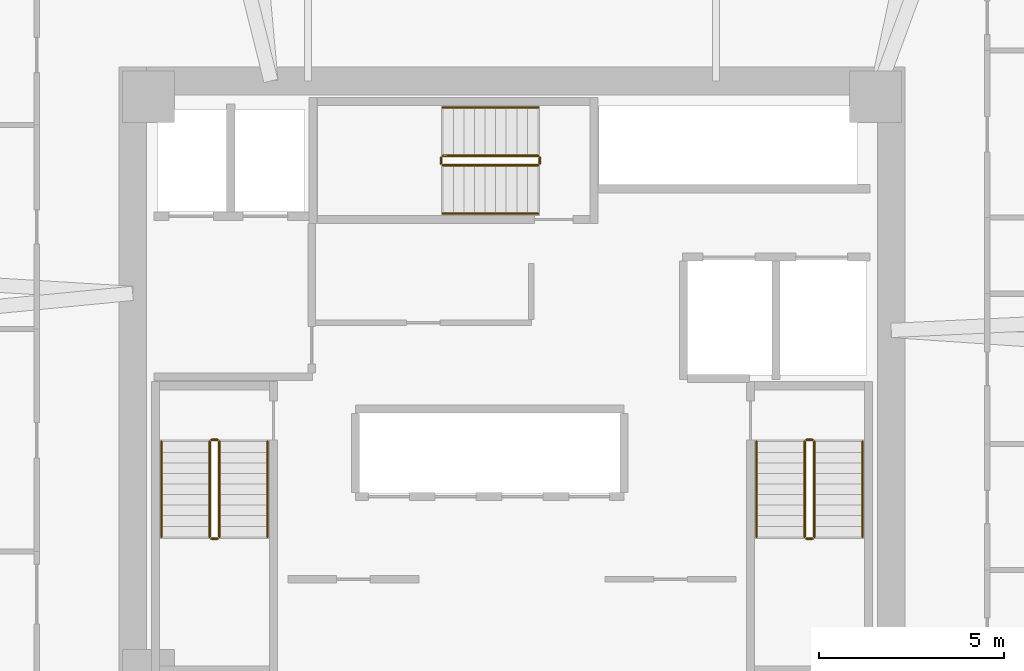
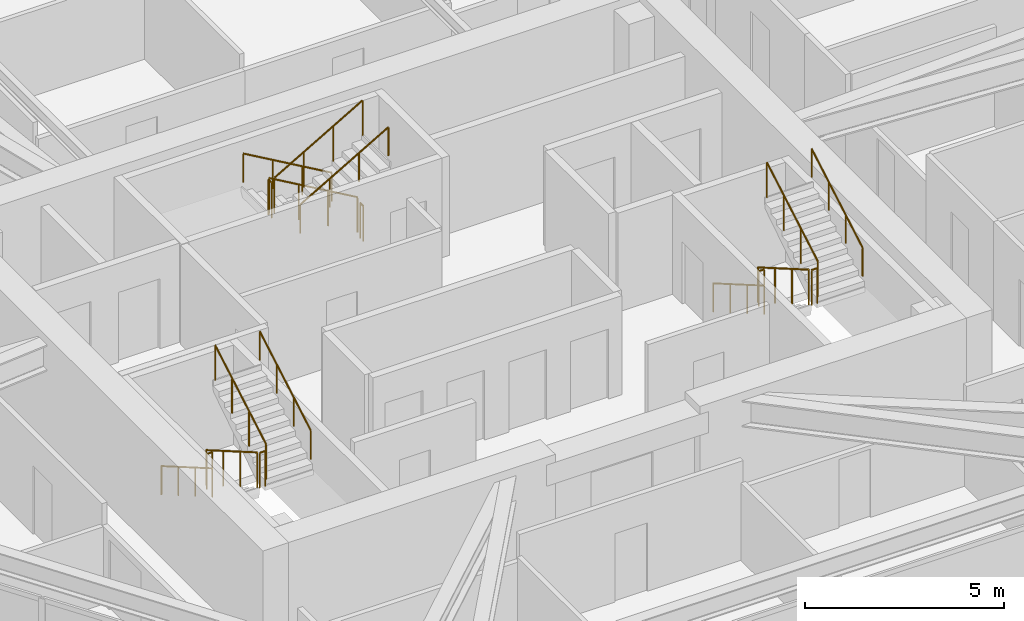
# One storey, part 14 of 14: 18 railings.
"""IFC4 building model written with IfcOpenShell, lengths in metres."""

import ifcopenshell
import ifcopenshell.guid

model = None  # the IFC model being written
_history = None  # IfcOwnerHistory: only IFC2X3 demands one
_inside = {}  # id of a spatial element -> (the spatial element, [elements in it])
_under = {}  # id of a project, library or spatial element -> (it, [spatial elements below it])
_declared = {}  # id of a project -> (the project, [libraries it declares])
_typed = {}  # id of a type object -> (the type object, [elements of that type])
_made_of = {}  # id of a material, layer set ... -> (it, [elements and type objects made of it])


def new_model(schema):
    """Start an empty IFC model of exactly this schema.

    Asked for "IFC4X3", IfcOpenShell would pick the latest addendum, in which some entities
    have other attributes; the version numbers below select the first issue.
    IFC2X3 requires an IfcOwnerHistory on every rooted entity: one is made here for all.
    """
    global model, _history
    if schema == "IFC4X3":
        model = ifcopenshell.file(schema_version=(4, 3, 0, 0))
    else:
        model = ifcopenshell.file(schema=schema)
    _inside.clear()
    _under.clear()
    _declared.clear()
    _typed.clear()
    _made_of.clear()
    _history = None
    if model.schema == "IFC2X3":
        org = make("IfcOrganization", Name="unknown")
        user = make(
            "IfcPersonAndOrganization",
            ThePerson=make("IfcPerson", FamilyName="unknown"),
            TheOrganization=org,
        )
        app = make(
            "IfcApplication",
            ApplicationDeveloper=org,
            Version="unknown",
            ApplicationFullName="unknown",
            ApplicationIdentifier="unknown",
        )
        _history = make(
            "IfcOwnerHistory",
            OwningUser=user,
            OwningApplication=app,
            ChangeAction="ADDED",
            CreationDate=0,
        )
    return model


def make(cls, **values):
    """One entity of the class cls with the attributes given. An attribute that is None is left unset."""
    return model.create_entity(
        cls, **{name: value for name, value in values.items() if value is not None}
    )


def rooted(cls, **values):
    """An entity with a GlobalId (a new one), such as an element, a storey or a relation."""
    return make(cls, GlobalId=ifcopenshell.guid.new(), OwnerHistory=_history, **values)


def si_unit(unit_type, name, prefix=None):
    """IfcSIUnit, for example si_unit("LENGTHUNIT", "METRE", prefix="MILLI")."""
    return make("IfcSIUnit", UnitType=unit_type, Prefix=prefix, Name=name)


def assignment(units):
    """IfcUnitAssignment: the units of a project."""
    return None if units is None else make("IfcUnitAssignment", Units=units)


def point(xyz):
    """IfcCartesianPoint."""
    return None if xyz is None else make("IfcCartesianPoint", Coordinates=xyz)


def direction(xyz):
    """IfcDirection."""
    return None if xyz is None else make("IfcDirection", DirectionRatios=xyz)


def frame(location, z_axis=None, x_axis=None):
    """IfcAxis2Placement3D, a coordinate frame: its origin and axes. An axis left out is left unset."""
    return make(
        "IfcAxis2Placement3D",
        Location=point(location),
        Axis=direction(z_axis),
        RefDirection=direction(x_axis),
    )


def frame_2d(location, x_axis=None):
    """IfcAxis2Placement2D, a coordinate frame in the plane: its origin and x axis."""
    return make(
        "IfcAxis2Placement2D", Location=point(location), RefDirection=direction(x_axis)
    )


def origin():
    """The frame at (0, 0, 0) with its axes left unset."""
    return frame((0.0, 0.0, 0.0))


def origin_2d():
    """The frame at (0, 0) in the plane with its x axis left unset."""
    return frame_2d((0.0, 0.0))


def place(relative_to, where):
    """IfcLocalPlacement: puts the frame where relative to a parent placement (None: the world)."""
    return make(
        "IfcLocalPlacement", PlacementRelTo=relative_to, RelativePlacement=where
    )


def context(
    kind, dimensions, precision=None, world=None, true_north=None, identifier=None
):
    """IfcGeometricRepresentationContext, for example the 3D "Model" context."""
    return make(
        "IfcGeometricRepresentationContext",
        ContextIdentifier=identifier,
        ContextType=kind,
        CoordinateSpaceDimension=dimensions,
        Precision=precision,
        WorldCoordinateSystem=world,
        TrueNorth=true_north,
    )


def subcontext(parent, identifier, kind, view, scale=None):
    """IfcGeometricRepresentationSubContext, for example "Body" below "Model"."""
    return make(
        "IfcGeometricRepresentationSubContext",
        ContextIdentifier=identifier,
        ContextType=kind,
        ParentContext=parent,
        TargetScale=scale,
        TargetView=view,
    )


def project(units=None, contexts=None):
    """IfcProject with its units and contexts."""
    return rooted(
        "IfcProject",
        Name="project",
        RepresentationContexts=contexts,
        UnitsInContext=assignment(units),
    )


def spatial(cls, under=None, at=None, **own):
    """A site, building, storey or space (cls), placed at a placement, below another one or the project."""
    s = rooted(cls, ObjectPlacement=at, **own)
    if under is not None:
        _under.setdefault(under.id(), (under, []))[1].append(s)
    return s


def profile(cls, at=None, kind="AREA", **sizes):
    """A parametric profile (cls). Its sizes go by their IFC names, for example OverallWidth=200.0."""
    return make(cls, ProfileType=kind, Position=at, **sizes)


def circle(**sizes):
    """IfcCircleProfileDef."""
    return profile("IfcCircleProfileDef", **sizes)


def extrude(swept, where, along, depth):
    """IfcExtrudedAreaSolid: the profile swept, set in the frame where, extruded along a direction by depth."""
    return make(
        "IfcExtrudedAreaSolid",
        SweptArea=swept,
        Position=where,
        ExtrudedDirection=direction(along),
        Depth=depth,
    )


def shape(context_of_items, identifier, shape_type, items):
    """IfcShapeRepresentation: the items that make up one representation, for example the "Body"."""
    return make(
        "IfcShapeRepresentation",
        ContextOfItems=context_of_items,
        RepresentationIdentifier=identifier,
        RepresentationType=shape_type,
        Items=items,
    )


def material(Name=None, Category=None):
    """IfcMaterial."""
    return make("IfcMaterial", Name=Name, Category=Category)


def made_of(thing, what):
    """Note that an element or type object is made of a material, layer set ...; save() writes the relation."""
    if what is not None:
        _made_of.setdefault(what.id(), (what, []))[1].append(thing)
    return thing


def type_object(cls, material=None, **own):
    """A type object (cls), such as IfcWallType, which elements share."""
    return made_of(rooted(cls, **own), material)


def element(
    cls,
    number,
    at=None,
    inside=None,
    cuts=None,
    type_object=None,
    material=None,
    context=None,
    identifier="Body",
    shape_type=None,
    held_by="IfcProductDefinitionShape",
    body=None,
    shapes=None,
    **own,
):
    """One element of the class cls, such as IfcWall. Its Tag is "e" and its number.

    at: its placement. inside: the storey or other place that contains it. cuts: it is an
    opening in that element (IfcRelVoidsElement). A single representation is given by context,
    identifier, shape_type and body (its items); several are given by shapes. held_by: the class
    of the entity that holds the representations. save() writes the other relations.
    """
    e = rooted(cls, Tag="e%d" % number, ObjectPlacement=at, **own)
    if body is not None:
        shapes = [shape(context, identifier, shape_type, body)]
    if shapes is not None:
        e.Representation = make(held_by, Representations=shapes)
    if inside is not None:
        _inside.setdefault(inside.id(), (inside, []))[1].append(e)
    if cuts is not None:
        rooted(
            "IfcRelVoidsElement", RelatingBuildingElement=cuts, RelatedOpeningElement=e
        )
    if type_object is not None:
        _typed.setdefault(type_object.id(), (type_object, []))[1].append(e)
    return made_of(e, material)


def aggregate(whole, parts):
    """IfcRelAggregates: a whole, such as a stair, and the parts it consists of."""
    return rooted("IfcRelAggregates", RelatingObject=whole, RelatedObjects=parts)


def save(model, path):
    """Write the relations noted so far, then the file.

    IfcRelAggregates (storeys below a building ...), IfcRelContainedInSpatialStructure (elements
    in a storey), IfcRelDefinesByType, IfcRelAssociatesMaterial and IfcRelDeclares: one each for
    every whole, place, type object, material and project.
    """
    for whole, parts in _under.values():
        aggregate(whole, parts)
    for where, things in _inside.values():
        rooted(
            "IfcRelContainedInSpatialStructure",
            RelatedElements=things,
            RelatingStructure=where,
        )
    for kind, things in _typed.values():
        rooted("IfcRelDefinesByType", RelatedObjects=things, RelatingType=kind)
    for what, things in _made_of.values():
        rooted("IfcRelAssociatesMaterial", RelatedObjects=things, RelatingMaterial=what)
    for by, libraries in _declared.values():
        rooted("IfcRelDeclares", RelatingContext=by, RelatedDefinitions=libraries)
    model.write(path)


model = new_model("IFC4")

# Units and contexts
model_context = context("Model", 3, precision=1e-05, world=origin(), true_north=direction((0.0, 1.0)))
body_context = subcontext(model_context, "Body", "Model", "MODEL_VIEW")
ifc_project = project(units=[si_unit("LENGTHUNIT", "METRE"), si_unit("AREAUNIT", "SQUARE_METRE"), si_unit("VOLUMEUNIT", "CUBIC_METRE"), si_unit("PLANEANGLEUNIT", "RADIAN"), si_unit("MASSUNIT", "GRAM", prefix="KILO")], contexts=[model_context])

# Site, building, storey
site_placement = place(None, origin())
site = spatial("IfcSite", under=ifc_project, at=site_placement, CompositionType="ELEMENT")
building_placement = place(site_placement, origin())
building = spatial("IfcBuilding", under=site, at=building_placement, Name="Durnholm Broadcast Tower", CompositionType="ELEMENT")
storey_placement = place(building_placement, frame((0.0, 0.0, 114.0)))
storey = spatial("IfcBuildingStorey", under=building, at=storey_placement, Name="L30", CompositionType="ELEMENT", Elevation=114.0)

# Railings
ifc_material_1 = material(Name="Painted Tubular Steel Stair Guardrail", Category="steel")
railing_type_1 = type_object("IfcRailingType", Name="RAIL-ST-GRD", PredefinedType="GUARDRAIL", material=ifc_material_1)
railing_1_placement = place(storey_placement, frame((-8.14990234375, -1.5, 0.1650390625)))
element("IfcRailing", 1, at=railing_1_placement, inside=storey, type_object=railing_type_1, Name="L30 ST-1 stair guard 1", PredefinedType="GUARDRAIL", context=body_context, shape_type="SweptSolid", body=[
    extrude(circle(Radius=0.02392578125, at=origin_2d()), frame((0.0, 0.0, 1.076171875), z_axis=(0.0, -0.865441324677, 0.50101029285), x_axis=(1.0, 0.0, 0.0)), (0.0, 0.0, 1.0), 2.963623046875),
    extrude(circle(Radius=0.02099609375, at=origin_2d()), origin(), (0.0, 0.0, 1.0), 1.052001953125),
    extrude(circle(Radius=0.02099609375, at=origin_2d()), frame((0.0, -0.85498046875, 0.494873046875)), (0.0, 0.0, 1.0), 1.052001953125),
    extrude(circle(Radius=0.02099609375, at=origin_2d()), frame((0.0, -1.7099609375, 0.989990234375)), (0.0, 0.0, 1.0), 1.052001953125),
    extrude(circle(Radius=0.02099609375, at=origin_2d()), frame((0.0, -2.56494140625, 1.48486328125)), (0.0, 0.0, 1.0), 1.052001953125),
])
railing_2_placement = place(storey_placement, frame((-8.10009765625, -4.114990234375, 1.64990234375)))
element("IfcRailing", 2, at=railing_2_placement, inside=storey, type_object=railing_type_1, Name="L30 ST-1 stair guard 2", PredefinedType="GUARDRAIL", context=body_context, shape_type="SweptSolid", body=[
    extrude(circle(Radius=0.02392578125, at=origin_2d()), frame((0.0, 0.0, 1.076171875), z_axis=(1.0, 0.0, 0.0), x_axis=(0.0, 1.0, 0.0)), (0.0, 0.0, 1.0), 0.16015625),
    extrude(circle(Radius=0.02099609375, at=origin_2d()), origin(), (0.0, 0.0, 1.0), 1.052001953125),
    extrude(circle(Radius=0.02099609375, at=origin_2d()), frame((0.16015625, 0.0, 0.0)), (0.0, 0.0, 1.0), 1.052001953125),
])
railing_3_placement = place(storey_placement, frame((-7.889892578125, -4.06494140625, 1.81494140625)))
element("IfcRailing", 3, at=railing_3_placement, inside=storey, type_object=railing_type_1, Name="L30 ST-1 stair guard 3", PredefinedType="GUARDRAIL", context=body_context, shape_type="SweptSolid", body=[
    extrude(circle(Radius=0.02392578125, at=origin_2d()), frame((0.0, 0.0, 1.076171875), z_axis=(0.0, 0.865405606168, 0.501071987656), x_axis=(-1.0, 0.0, 0.0)), (0.0, 0.0, 1.0), 2.9638671875),
    extrude(circle(Radius=0.02099609375, at=origin_2d()), origin(), (0.0, 0.0, 1.0), 1.052001953125),
    extrude(circle(Radius=0.02099609375, at=origin_2d()), frame((0.0, 0.85498046875, 0.4951171875)), (0.0, 0.0, 1.0), 1.052001953125),
    extrude(circle(Radius=0.02099609375, at=origin_2d()), frame((0.0, 1.7099609375, 0.989990234375)), (0.0, 0.0, 1.0), 1.052001953125),
    extrude(circle(Radius=0.02099609375, at=origin_2d()), frame((0.0, 2.56494140625, 1.485107421875)), (0.0, 0.0, 1.0), 1.052001953125),
])
railing_4_placement = place(storey_placement, frame((-8.10009765625, -1.449951171875, 0.0)))
element("IfcRailing", 4, at=railing_4_placement, inside=storey, type_object=railing_type_1, Name="L30 ST-1 stair guard 4", PredefinedType="GUARDRAIL", context=body_context, shape_type="SweptSolid", body=[
    extrude(circle(Radius=0.02392578125, at=origin_2d()), frame((0.0, 0.0, 1.076171875), z_axis=(1.0, 0.0, 0.0), x_axis=(0.0, 1.0, 0.0)), (0.0, 0.0, 1.0), 0.16015625),
    extrude(circle(Radius=0.02099609375, at=origin_2d()), origin(), (0.0, 0.0, 1.0), 1.052001953125),
    extrude(circle(Radius=0.02099609375, at=origin_2d()), frame((0.16015625, 0.0, 0.0)), (0.0, 0.0, 1.0), 1.052001953125),
])
railing_5_placement = place(storey_placement, frame((7.889892578125, -1.5, 0.1650390625)))
element("IfcRailing", 5, at=railing_5_placement, inside=storey, type_object=railing_type_1, Name="L30 ST-2 stair guard 1", PredefinedType="GUARDRAIL", context=body_context, shape_type="SweptSolid", body=[
    extrude(circle(Radius=0.02392578125, at=origin_2d()), frame((0.0, 0.0, 1.076171875), z_axis=(0.0, -0.865441324677, 0.50101029285), x_axis=(1.0, 0.0, 0.0)), (0.0, 0.0, 1.0), 2.963623046875),
    extrude(circle(Radius=0.02099609375, at=origin_2d()), origin(), (0.0, 0.0, 1.0), 1.052001953125),
    extrude(circle(Radius=0.02099609375, at=origin_2d()), frame((0.0, -0.85498046875, 0.494873046875)), (0.0, 0.0, 1.0), 1.052001953125),
    extrude(circle(Radius=0.02099609375, at=origin_2d()), frame((0.0, -1.7099609375, 0.989990234375)), (0.0, 0.0, 1.0), 1.052001953125),
    extrude(circle(Radius=0.02099609375, at=origin_2d()), frame((0.0, -2.56494140625, 1.48486328125)), (0.0, 0.0, 1.0), 1.052001953125),
])
railing_6_placement = place(storey_placement, frame((7.93994140625, -4.114990234375, 1.64990234375)))
element("IfcRailing", 6, at=railing_6_placement, inside=storey, type_object=railing_type_1, Name="L30 ST-2 stair guard 2", PredefinedType="GUARDRAIL", context=body_context, shape_type="SweptSolid", body=[
    extrude(circle(Radius=0.02392578125, at=origin_2d()), frame((0.0, 0.0, 1.076171875), z_axis=(1.0, 0.0, 0.0), x_axis=(0.0, 1.0, 0.0)), (0.0, 0.0, 1.0), 0.16015625),
    extrude(circle(Radius=0.02099609375, at=origin_2d()), origin(), (0.0, 0.0, 1.0), 1.052001953125),
    extrude(circle(Radius=0.02099609375, at=origin_2d()), frame((0.16015625, 0.0, 0.0)), (0.0, 0.0, 1.0), 1.052001953125),
])
railing_7_placement = place(storey_placement, frame((8.14990234375, -4.06494140625, 1.81494140625)))
element("IfcRailing", 7, at=railing_7_placement, inside=storey, type_object=railing_type_1, Name="L30 ST-2 stair guard 3", PredefinedType="GUARDRAIL", context=body_context, shape_type="SweptSolid", body=[
    extrude(circle(Radius=0.02392578125, at=origin_2d()), frame((0.0, 0.0, 1.076171875), z_axis=(0.0, 0.865405606168, 0.501071987656), x_axis=(-1.0, 0.0, 0.0)), (0.0, 0.0, 1.0), 2.9638671875),
    extrude(circle(Radius=0.02099609375, at=origin_2d()), origin(), (0.0, 0.0, 1.0), 1.052001953125),
    extrude(circle(Radius=0.02099609375, at=origin_2d()), frame((0.0, 0.85498046875, 0.4951171875)), (0.0, 0.0, 1.0), 1.052001953125),
    extrude(circle(Radius=0.02099609375, at=origin_2d()), frame((0.0, 1.7099609375, 0.989990234375)), (0.0, 0.0, 1.0), 1.052001953125),
    extrude(circle(Radius=0.02099609375, at=origin_2d()), frame((0.0, 2.56494140625, 1.485107421875)), (0.0, 0.0, 1.0), 1.052001953125),
])
railing_8_placement = place(storey_placement, frame((7.93994140625, -1.449951171875, 0.0)))
element("IfcRailing", 8, at=railing_8_placement, inside=storey, type_object=railing_type_1, Name="L30 ST-2 stair guard 4", PredefinedType="GUARDRAIL", context=body_context, shape_type="SweptSolid", body=[
    extrude(circle(Radius=0.02392578125, at=origin_2d()), frame((0.0, 0.0, 1.076171875), z_axis=(1.0, 0.0, 0.0), x_axis=(0.0, 1.0, 0.0)), (0.0, 0.0, 1.0), 0.16015625),
    extrude(circle(Radius=0.02099609375, at=origin_2d()), origin(), (0.0, 0.0, 1.0), 1.052001953125),
    extrude(circle(Radius=0.02099609375, at=origin_2d()), frame((0.16015625, 0.0, 0.0)), (0.0, 0.0, 1.0), 1.052001953125),
])
railing_9_placement = place(storey_placement, frame((0.699951171875, 6.2099609375, 0.1650390625)))
element("IfcRailing", 9, at=railing_9_placement, inside=storey, type_object=railing_type_1, Name="L30 ST-3 stair guard 1", PredefinedType="GUARDRAIL", context=body_context, shape_type="SweptSolid", body=[
    extrude(circle(Radius=0.02392578125, at=origin_2d()), frame((0.0, 0.0, 1.076171875), z_axis=(-0.865441324677, 0.0, 0.50101029285), x_axis=(0.0, -1.0, 0.0)), (0.0, 0.0, 1.0), 2.963623046875),
    extrude(circle(Radius=0.02099609375, at=origin_2d()), origin(), (0.0, 0.0, 1.0), 1.052001953125),
    extrude(circle(Radius=0.02099609375, at=origin_2d()), frame((-0.85498046875, 0.0, 0.494873046875)), (0.0, 0.0, 1.0), 1.052001953125),
    extrude(circle(Radius=0.02099609375, at=origin_2d()), frame((-1.7099609375, 0.0, 0.989990234375)), (0.0, 0.0, 1.0), 1.052001953125),
    extrude(circle(Radius=0.02099609375, at=origin_2d()), frame((-2.56494140625, 0.0, 1.48486328125)), (0.0, 0.0, 1.0), 1.052001953125),
])
railing_10_placement = place(storey_placement, frame((-1.9150390625, 6.159912109375, 1.64990234375)))
element("IfcRailing", 10, at=railing_10_placement, inside=storey, type_object=railing_type_1, Name="L30 ST-3 stair guard 2", PredefinedType="GUARDRAIL", context=body_context, shape_type="SweptSolid", body=[
    extrude(circle(Radius=0.02392578125, at=origin_2d()), frame((0.0, 0.0, 1.076171875), z_axis=(0.0, -1.0, 0.0), x_axis=(1.0, 0.0, 0.0)), (0.0, 0.0, 1.0), 0.159912109375),
    extrude(circle(Radius=0.02099609375, at=origin_2d()), origin(), (0.0, 0.0, 1.0), 1.052001953125),
    extrude(circle(Radius=0.02099609375, at=origin_2d()), frame((0.0, -0.159912109375, 0.0)), (0.0, 0.0, 1.0), 1.052001953125),
])
railing_11_placement = place(storey_placement, frame((-1.864990234375, 5.949951171875, 1.81494140625)))
element("IfcRailing", 11, at=railing_11_placement, inside=storey, type_object=railing_type_1, Name="L30 ST-3 stair guard 3", PredefinedType="GUARDRAIL", context=body_context, shape_type="SweptSolid", body=[
    extrude(circle(Radius=0.02392578125, at=origin_2d()), frame((0.0, 0.0, 1.076171875), z_axis=(0.865405606168, 0.0, 0.501071987656), x_axis=(0.0, 1.0, 0.0)), (0.0, 0.0, 1.0), 2.9638671875),
    extrude(circle(Radius=0.02099609375, at=origin_2d()), origin(), (0.0, 0.0, 1.0), 1.052001953125),
    extrude(circle(Radius=0.02099609375, at=origin_2d()), frame((0.85498046875, 0.0, 0.4951171875)), (0.0, 0.0, 1.0), 1.052001953125),
    extrude(circle(Radius=0.02099609375, at=origin_2d()), frame((1.7099609375, 0.0, 0.989990234375)), (0.0, 0.0, 1.0), 1.052001953125),
    extrude(circle(Radius=0.02099609375, at=origin_2d()), frame((2.56494140625, 0.0, 1.485107421875)), (0.0, 0.0, 1.0), 1.052001953125),
])
railing_12_placement = place(storey_placement, frame((0.75, 6.159912109375, 0.0)))
element("IfcRailing", 12, at=railing_12_placement, inside=storey, type_object=railing_type_1, Name="L30 ST-3 stair guard 4", PredefinedType="GUARDRAIL", context=body_context, shape_type="SweptSolid", body=[
    extrude(circle(Radius=0.02392578125, at=origin_2d()), frame((0.0, 0.0, 1.076171875), z_axis=(0.0, -1.0, 0.0), x_axis=(1.0, 0.0, 0.0)), (0.0, 0.0, 1.0), 0.159912109375),
    extrude(circle(Radius=0.02099609375, at=origin_2d()), origin(), (0.0, 0.0, 1.0), 1.052001953125),
    extrude(circle(Radius=0.02099609375, at=origin_2d()), frame((0.0, -0.159912109375, 0.0)), (0.0, 0.0, 1.0), 1.052001953125),
])
ifc_material_2 = material(Name="Brushed Stainless Steel Handrail", Category="steel")
railing_type_2 = type_object("IfcRailingType", Name="RAIL-ST-HND", PredefinedType="HANDRAIL", material=ifc_material_2)
railing_13_placement = place(storey_placement, frame((-9.449951171875, -1.5, 0.330078125)))
element("IfcRailing", 13, at=railing_13_placement, inside=storey, type_object=railing_type_2, Name="L30 ST-1 stair handrail 1", PredefinedType="HANDRAIL", context=body_context, shape_type="SweptSolid", body=[
    extrude(circle(Radius=0.02392578125, at=origin_2d()), frame((0.0, 0.0, 0.8759765625), z_axis=(0.0, -0.865441324677, 0.50101029285), x_axis=(1.0, 0.0, 0.0)), (0.0, 0.0, 1.0), 2.963623046875),
    extrude(circle(Radius=0.02099609375, at=origin_2d()), origin(), (0.0, 0.0, 1.0), 0.851806640625),
    extrude(circle(Radius=0.02099609375, at=origin_2d()), frame((0.0, -0.85498046875, 0.494873046875)), (0.0, 0.0, 1.0), 0.851806640625),
    extrude(circle(Radius=0.02099609375, at=origin_2d()), frame((0.0, -1.7099609375, 0.989990234375)), (0.0, 0.0, 1.0), 0.851806640625),
    extrude(circle(Radius=0.02099609375, at=origin_2d()), frame((0.0, -2.56494140625, 1.48486328125)), (0.0, 0.0, 1.0), 0.851806640625),
])
railing_14_placement = place(storey_placement, frame((-6.590087890625, -4.06494140625, 1.97998046875)))
element("IfcRailing", 14, at=railing_14_placement, inside=storey, type_object=railing_type_2, Name="L30 ST-1 stair handrail 2", PredefinedType="HANDRAIL", context=body_context, shape_type="SweptSolid", body=[
    extrude(circle(Radius=0.02392578125, at=origin_2d()), frame((0.0, 0.0, 0.8759765625), z_axis=(0.0, 0.865405606168, 0.501071987656), x_axis=(-1.0, 0.0, 0.0)), (0.0, 0.0, 1.0), 2.9638671875),
    extrude(circle(Radius=0.02099609375, at=origin_2d()), origin(), (0.0, 0.0, 1.0), 0.851806640625),
    extrude(circle(Radius=0.02099609375, at=origin_2d()), frame((0.0, 0.85498046875, 0.4951171875)), (0.0, 0.0, 1.0), 0.851806640625),
    extrude(circle(Radius=0.02099609375, at=origin_2d()), frame((0.0, 1.7099609375, 0.989990234375)), (0.0, 0.0, 1.0), 0.851806640625),
    extrude(circle(Radius=0.02099609375, at=origin_2d()), frame((0.0, 2.56494140625, 1.485107421875)), (0.0, 0.0, 1.0), 0.851806640625),
])
railing_15_placement = place(storey_placement, frame((6.590087890625, -1.5, 0.330078125)))
element("IfcRailing", 15, at=railing_15_placement, inside=storey, type_object=railing_type_2, Name="L30 ST-2 stair handrail 1", PredefinedType="HANDRAIL", context=body_context, shape_type="SweptSolid", body=[
    extrude(circle(Radius=0.02392578125, at=origin_2d()), frame((0.0, 0.0, 0.8759765625), z_axis=(0.0, -0.865441324677, 0.50101029285), x_axis=(1.0, 0.0, 0.0)), (0.0, 0.0, 1.0), 2.963623046875),
    extrude(circle(Radius=0.02099609375, at=origin_2d()), origin(), (0.0, 0.0, 1.0), 0.851806640625),
    extrude(circle(Radius=0.02099609375, at=origin_2d()), frame((0.0, -0.85498046875, 0.494873046875)), (0.0, 0.0, 1.0), 0.851806640625),
    extrude(circle(Radius=0.02099609375, at=origin_2d()), frame((0.0, -1.7099609375, 0.989990234375)), (0.0, 0.0, 1.0), 0.851806640625),
    extrude(circle(Radius=0.02099609375, at=origin_2d()), frame((0.0, -2.56494140625, 1.48486328125)), (0.0, 0.0, 1.0), 0.851806640625),
])
railing_16_placement = place(storey_placement, frame((9.449951171875, -4.06494140625, 1.97998046875)))
element("IfcRailing", 16, at=railing_16_placement, inside=storey, type_object=railing_type_2, Name="L30 ST-2 stair handrail 2", PredefinedType="HANDRAIL", context=body_context, shape_type="SweptSolid", body=[
    extrude(circle(Radius=0.02392578125, at=origin_2d()), frame((0.0, 0.0, 0.8759765625), z_axis=(0.0, 0.865405606168, 0.501071987656), x_axis=(-1.0, 0.0, 0.0)), (0.0, 0.0, 1.0), 2.9638671875),
    extrude(circle(Radius=0.02099609375, at=origin_2d()), origin(), (0.0, 0.0, 1.0), 0.851806640625),
    extrude(circle(Radius=0.02099609375, at=origin_2d()), frame((0.0, 0.85498046875, 0.4951171875)), (0.0, 0.0, 1.0), 0.851806640625),
    extrude(circle(Radius=0.02099609375, at=origin_2d()), frame((0.0, 1.7099609375, 0.989990234375)), (0.0, 0.0, 1.0), 0.851806640625),
    extrude(circle(Radius=0.02099609375, at=origin_2d()), frame((0.0, 2.56494140625, 1.485107421875)), (0.0, 0.0, 1.0), 0.851806640625),
])
railing_17_placement = place(storey_placement, frame((0.699951171875, 7.510009765625, 0.330078125)))
element("IfcRailing", 17, at=railing_17_placement, inside=storey, type_object=railing_type_2, Name="L30 ST-3 stair handrail 1", PredefinedType="HANDRAIL", context=body_context, shape_type="SweptSolid", body=[
    extrude(circle(Radius=0.02392578125, at=origin_2d()), frame((0.0, 0.0, 0.8759765625), z_axis=(-0.865441324677, 0.0, 0.50101029285), x_axis=(0.0, -1.0, 0.0)), (0.0, 0.0, 1.0), 2.963623046875),
    extrude(circle(Radius=0.02099609375, at=origin_2d()), origin(), (0.0, 0.0, 1.0), 0.851806640625),
    extrude(circle(Radius=0.02099609375, at=origin_2d()), frame((-0.85498046875, 0.0, 0.494873046875)), (0.0, 0.0, 1.0), 0.851806640625),
    extrude(circle(Radius=0.02099609375, at=origin_2d()), frame((-1.7099609375, 0.0, 0.989990234375)), (0.0, 0.0, 1.0), 0.851806640625),
    extrude(circle(Radius=0.02099609375, at=origin_2d()), frame((-2.56494140625, 0.0, 1.48486328125)), (0.0, 0.0, 1.0), 0.851806640625),
])
railing_18_placement = place(storey_placement, frame((-1.864990234375, 4.64990234375, 1.97998046875)))
element("IfcRailing", 18, at=railing_18_placement, inside=storey, type_object=railing_type_2, Name="L30 ST-3 stair handrail 2", PredefinedType="HANDRAIL", context=body_context, shape_type="SweptSolid", body=[
    extrude(circle(Radius=0.02392578125, at=origin_2d()), frame((0.0, 0.0, 0.8759765625), z_axis=(0.865405606168, 0.0, 0.501071987656), x_axis=(0.0, 1.0, 0.0)), (0.0, 0.0, 1.0), 2.9638671875),
    extrude(circle(Radius=0.02099609375, at=origin_2d()), origin(), (0.0, 0.0, 1.0), 0.851806640625),
    extrude(circle(Radius=0.02099609375, at=origin_2d()), frame((0.85498046875, 0.0, 0.4951171875)), (0.0, 0.0, 1.0), 0.851806640625),
    extrude(circle(Radius=0.02099609375, at=origin_2d()), frame((1.7099609375, 0.0, 0.989990234375)), (0.0, 0.0, 1.0), 0.851806640625),
    extrude(circle(Radius=0.02099609375, at=origin_2d()), frame((2.56494140625, 0.0, 1.485107421875)), (0.0, 0.0, 1.0), 0.851806640625),
])

save(model, "model.ifc")
